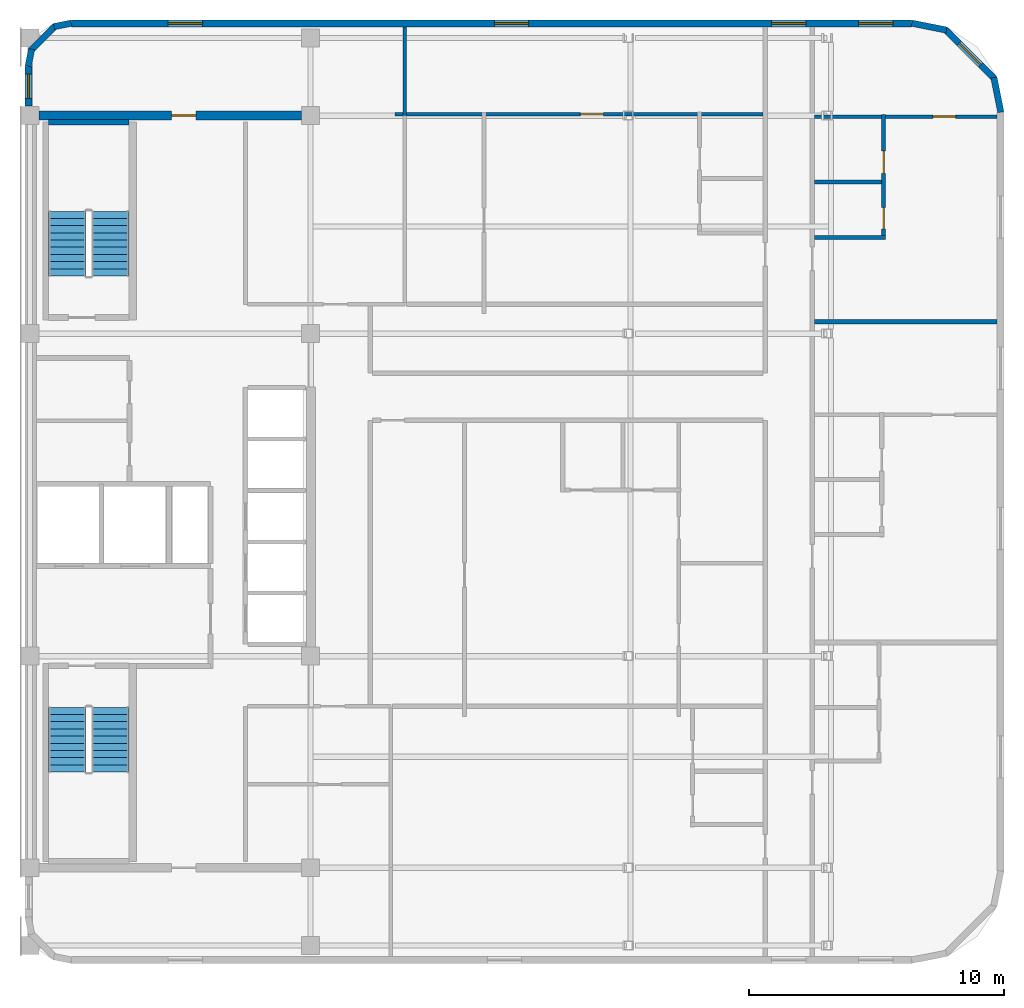
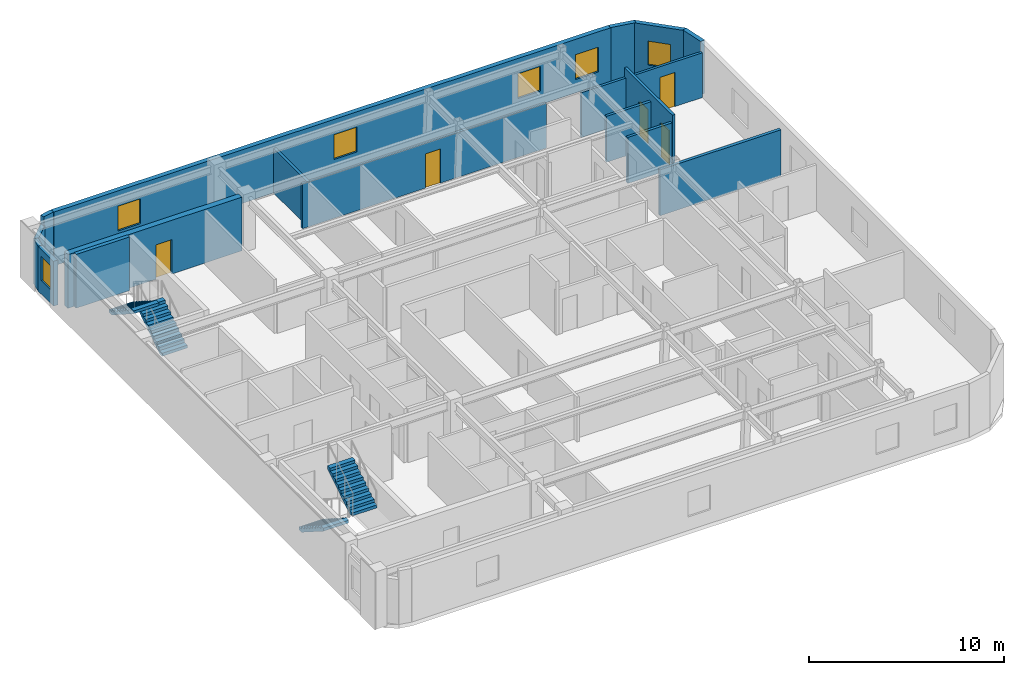
# One storey, part 5 of 6: 17 walls, 6 windows, 5 doors, 4 stair flights, 11 openings, 2 elements without a shape of their own.
"""IFC4 building model written with IfcOpenShell, lengths in metres."""

from ifc_helpers import new_model, si_unit, direction, frame, frame_2d, origin, place, context, subcontext, project, spatial, polyline, rectangle, outline, extrude, material, layer, layer_set, type_object, element, fill, aggregate, save


model = new_model("IFC4")

# Units and contexts
model_context = context("Model", 3, precision=1e-05, world=origin(), true_north=direction((0.0, 1.0)))
body_context = subcontext(model_context, "Body", "Model", "MODEL_VIEW")
ifc_project = project(units=[si_unit("LENGTHUNIT", "METRE"), si_unit("AREAUNIT", "SQUARE_METRE"), si_unit("VOLUMEUNIT", "CUBIC_METRE"), si_unit("PLANEANGLEUNIT", "RADIAN"), si_unit("MASSUNIT", "GRAM", prefix="KILO")], contexts=[model_context])

# Site, building, storey
site_placement = place(None, origin())
site = spatial("IfcSite", under=ifc_project, at=site_placement, CompositionType="ELEMENT")
building_placement = place(site_placement, origin())
building = spatial("IfcBuilding", under=site, at=building_placement, Name="Ochreholt Gables", CompositionType="ELEMENT")
storey_placement = place(building_placement, frame((0.0, 0.0, 220.199951171875)))
storey = spatial("IfcBuildingStorey", under=building, at=storey_placement, Name="L57", CompositionType="ELEMENT", Elevation=220.199951171875)

# Wall, opening, door
ifc_material_1 = material(Name="Concrete 50 MPa", Category="concrete")
ifc_layer_1 = layer(ifc_material_1, 0.35009765625, Name="Concrete 50 MPa")
ifc_layer_set_1 = layer_set([ifc_layer_1], Name="Concrete 50 MPa")
wall_type_1 = type_object("IfcWallType", Name="WALL-CSW-350", PredefinedType="SHEAR", material=ifc_layer_set_1)
wall_1_placement = place(storey_placement, frame((24.550048828125, 38.75, 0.0), z_axis=(0.0, 0.0, 1.0), x_axis=(1.0, 0.0, 0.0)))
wall_1 = element("IfcWall", 1, at=wall_1_placement, inside=storey, type_object=wall_type_1, Name="L57 Core North Shear Wall", PredefinedType="SHEAR", context=body_context, shape_type="SweptSolid", body=[
    extrude(rectangle(XDim=10.300048828125, YDim=0.35009765625, at=frame_2d((5.14990234375, 0.0))), origin(), (0.0, 0.0, 1.0), 3.360107421875),
])
opening_1_placement = place(wall_1_placement, frame((5.199951171875, 0.0, 0.0)))
opening_1 = element("IfcOpeningElement", 2, at=opening_1_placement, cuts=wall_1, Name="Opening D-FL2", PredefinedType="OPENING", context=body_context, shape_type="SweptSolid", body=[
    extrude(rectangle(XDim=0.949951171875, YDim=2.14990234375, at=frame_2d((0.47509765625, 1.074951171875))), frame((0.0, 0.18505859375, 0.0), z_axis=(0.0, -1.0, 0.0), x_axis=(1.0, 0.0, 0.0)), (0.0, 0.0, 1.0), 0.3701171875),
])
ifc_material_2 = material(Name="Hollow Metal Steel", Category="steel")
door_type_1 = type_object("IfcDoorType", Name="DR-INT-FLB950", OperationType="NOTDEFINED", PredefinedType="DOOR", material=ifc_material_2)
door_1_placement = place(opening_1_placement, origin())
door_1 = element("IfcDoor", 3, at=door_1_placement, inside=storey, type_object=door_type_1, Name="L57 Door D-C3NSR-L57", OperationType="SINGLE_SWING_RIGHT", OverallHeight=2.14990234375, OverallWidth=0.949951171875, PredefinedType="DOOR", context=body_context, shape_type="SweptSolid", body=[
    extrude(rectangle(XDim=0.949951171875, YDim=2.14990234375, at=frame_2d((0.47509765625, 1.074951171875))), frame((0.0, 0.02490234375, 0.0), z_axis=(0.0, -1.0, 0.0), x_axis=(1.0, 0.0, 0.0)), (0.0, 0.0, 1.0), 0.050048828125),
])
fill(opening_1, door_1)

# Wall, openings, windows
ifc_material_3 = material(Name="Precast concrete 40 MPa", Category="concrete")
ifc_layer_2 = layer(ifc_material_3, 0.27001953125, Name="Precast concrete 40 MPa")
ifc_layer_set_2 = layer_set([ifc_layer_2], Name="Precast concrete 40 MPa")
wall_type_2 = type_object("IfcWallType", Name="WALL-EXT-270", PredefinedType="SOLIDWALL", material=ifc_layer_set_2)
wall_2_placement = place(storey_placement, frame((58.780029296875, 42.364990234375, 0.0), z_axis=(0.0, 0.0, 1.0), x_axis=(-1.0, 0.0, 0.0)))
wall_2 = element("IfcWall", 4, at=wall_2_placement, inside=storey, type_object=wall_type_2, Name="L57 North Exterior Wall", PredefinedType="SOLIDWALL", context=body_context, shape_type="SweptSolid", body=[
    extrude(rectangle(XDim=32.9599609375, YDim=0.27001953125, at=frame_2d((16.47998046875, 0.0))), origin(), (0.0, 0.0, 1.0), 3.360107421875),
])
opening_2_placement = place(wall_2_placement, frame((27.81494140625, 0.0, 0.85009765625)))
opening_2 = element("IfcOpeningElement", 5, at=opening_2_placement, cuts=wall_2, Name="Opening WN-8", PredefinedType="OPENING", context=body_context, shape_type="SweptSolid", body=[
    extrude(rectangle(XDim=1.35009765625, YDim=1.550048828125, at=frame_2d((0.675048828125, 0.77490234375))), frame((0.0, 0.14501953125, 0.0), z_axis=(0.0, -1.0, 0.0), x_axis=(1.0, 0.0, 0.0)), (0.0, 0.0, 1.0), 0.2900390625),
])
opening_3_placement = place(wall_2_placement, frame((15.02197265625, 0.0, 0.85009765625)))
opening_3 = element("IfcOpeningElement", 6, at=opening_3_placement, cuts=wall_2, Name="Opening WN-8", PredefinedType="OPENING", context=body_context, shape_type="SweptSolid", body=[
    extrude(rectangle(XDim=1.35009765625, YDim=1.550048828125, at=frame_2d((0.675048828125, 0.77490234375))), frame((0.0, 0.14501953125, 0.0), z_axis=(0.0, -1.0, 0.0), x_axis=(1.0, 0.0, 0.0)), (0.0, 0.0, 1.0), 0.2900390625),
])
opening_4_placement = place(wall_2_placement, frame((4.147216796875, 0.0, 0.85009765625)))
opening_4 = element("IfcOpeningElement", 7, at=opening_4_placement, cuts=wall_2, Name="Opening WN-8", PredefinedType="OPENING", context=body_context, shape_type="SweptSolid", body=[
    extrude(rectangle(XDim=1.35009765625, YDim=1.550048828125, at=frame_2d((0.675048828125, 0.77490234375))), frame((0.0, 0.14501953125, 0.0), z_axis=(0.0, -1.0, 0.0), x_axis=(1.0, 0.0, 0.0)), (0.0, 0.0, 1.0), 0.2900390625),
])
opening_5_placement = place(wall_2_placement, frame((0.728515625, 0.0, 0.85009765625)))
opening_5 = element("IfcOpeningElement", 8, at=opening_5_placement, cuts=wall_2, Name="Opening WN-8", PredefinedType="OPENING", context=body_context, shape_type="SweptSolid", body=[
    extrude(rectangle(XDim=1.35009765625, YDim=1.550048828125, at=frame_2d((0.675048828125, 0.77490234375))), frame((0.0, 0.14501953125, 0.0), z_axis=(0.0, -1.0, 0.0), x_axis=(1.0, 0.0, 0.0)), (0.0, 0.0, 1.0), 0.2900390625),
])
ifc_material_4 = material(Name="Triple-Glazed Thermally Broken Aluminium Window", Category="aluminium")
window_type_1 = type_object("IfcWindowType", Name="WIN-RES-1350", PartitioningType="SINGLE_PANEL", PredefinedType="WINDOW", material=ifc_material_4)
window_1_placement = place(opening_2_placement, origin())
window_1 = element("IfcWindow", 9, at=window_1_placement, inside=storey, type_object=window_type_1, Name="L57 Window W-EXT-N-L57-1", OverallHeight=1.550048828125, OverallWidth=1.35009765625, PartitioningType="SINGLE_PANEL", PredefinedType="WINDOW", context=body_context, shape_type="SweptSolid", body=[
    extrude(rectangle(XDim=1.35009765625, YDim=1.550048828125, at=frame_2d((0.675048828125, 0.77490234375))), frame((0.0, 0.030029296875, 0.0), z_axis=(0.0, -1.0, 0.0), x_axis=(1.0, 0.0, 0.0)), (0.0, 0.0, 1.0), 0.06005859375),
])
fill(opening_2, window_1)
window_2_placement = place(opening_3_placement, origin())
window_2 = element("IfcWindow", 10, at=window_2_placement, inside=storey, type_object=window_type_1, Name="L57 Window W-EXT-N-L57-2", OverallHeight=1.550048828125, OverallWidth=1.35009765625, PartitioningType="SINGLE_PANEL", PredefinedType="WINDOW", context=body_context, shape_type="SweptSolid", body=[
    extrude(rectangle(XDim=1.35009765625, YDim=1.550048828125, at=frame_2d((0.675048828125, 0.77490234375))), frame((0.0, 0.030029296875, 0.0), z_axis=(0.0, -1.0, 0.0), x_axis=(1.0, 0.0, 0.0)), (0.0, 0.0, 1.0), 0.06005859375),
])
fill(opening_3, window_2)
window_3_placement = place(opening_4_placement, origin())
window_3 = element("IfcWindow", 11, at=window_3_placement, inside=storey, type_object=window_type_1, Name="L57 Window W-EXT-N-L57-3", OverallHeight=1.550048828125, OverallWidth=1.35009765625, PartitioningType="SINGLE_PANEL", PredefinedType="WINDOW", context=body_context, shape_type="SweptSolid", body=[
    extrude(rectangle(XDim=1.35009765625, YDim=1.550048828125, at=frame_2d((0.675048828125, 0.77490234375))), frame((0.0, 0.030029296875, 0.0), z_axis=(0.0, -1.0, 0.0), x_axis=(1.0, 0.0, 0.0)), (0.0, 0.0, 1.0), 0.06005859375),
])
fill(opening_4, window_3)
window_4_placement = place(opening_5_placement, origin())
window_4 = element("IfcWindow", 12, at=window_4_placement, inside=storey, type_object=window_type_1, Name="L57 Window W-EXT-N-L57-4", OverallHeight=1.550048828125, OverallWidth=1.35009765625, PartitioningType="SINGLE_PANEL", PredefinedType="WINDOW", context=body_context, shape_type="SweptSolid", body=[
    extrude(rectangle(XDim=1.35009765625, YDim=1.550048828125, at=frame_2d((0.675048828125, 0.77490234375))), frame((0.0, 0.030029296875, 0.0), z_axis=(0.0, -1.0, 0.0), x_axis=(1.0, 0.0, 0.0)), (0.0, 0.0, 1.0), 0.06005859375),
])
fill(opening_5, window_4)

# Wall, opening, window
wall_3_placement = place(storey_placement, frame((24.135009765625, 39.1201171875, 0.0), z_axis=(0.0, 0.0, 1.0), x_axis=(0.0, 1.0, 0.0)))
wall_3 = element("IfcWall", 13, at=wall_3_placement, inside=storey, type_object=wall_type_2, Name="L57 West Facade North Bay Wall", PredefinedType="SOLIDWALL", context=body_context, shape_type="SweptSolid", body=[
    extrude(rectangle(XDim=1.559814453125, YDim=0.27001953125, at=frame_2d((0.77978515625, 0.0))), origin(), (0.0, 0.0, 1.0), 2.802978515625),
])
opening_6_placement = place(wall_3_placement, frame((0.304931640625, 0.0, 0.85009765625)))
opening_6 = element("IfcOpeningElement", 14, at=opening_6_placement, cuts=wall_3, Name="Opening WN-10", PredefinedType="OPENING", context=body_context, shape_type="SweptSolid", body=[
    extrude(rectangle(XDim=0.949951171875, YDim=1.5, at=frame_2d((0.47509765625, 0.75))), frame((0.0, 0.14501953125, 0.0), z_axis=(0.0, -1.0, 0.0), x_axis=(1.0, 0.0, 0.0)), (0.0, 0.0, 1.0), 0.2900390625),
])
window_type_2 = type_object("IfcWindowType", Name="WIN-RES-950", PartitioningType="SINGLE_PANEL", PredefinedType="WINDOW", material=ifc_material_4)
window_5_placement = place(opening_6_placement, origin())
window_5 = element("IfcWindow", 15, at=window_5_placement, inside=storey, type_object=window_type_2, Name="L57 North Sky Reading West Window", OverallHeight=1.5, OverallWidth=0.949951171875, PartitioningType="SINGLE_PANEL", PredefinedType="WINDOW", context=body_context, shape_type="SweptSolid", body=[
    extrude(rectangle(XDim=0.949951171875, YDim=1.5, at=frame_2d((0.47509765625, 0.75))), frame((0.0, 0.030029296875, 0.0), z_axis=(0.0, -1.0, 0.0), x_axis=(1.0, 0.0, 0.0)), (0.0, 0.0, 1.0), 0.06005859375),
])
fill(opening_6, window_5)

# Wall
ifc_layer_3 = layer(ifc_material_3, 0.25, Name="Precast concrete 40 MPa")
ifc_layer_set_3 = layer_set([ifc_layer_3], Name="Precast concrete 40 MPa")
wall_type_3 = type_object("IfcWallType", Name="WALL-EXT-CNR", PredefinedType="SOLIDWALL", material=ifc_layer_set_3)
wall_4_placement = place(storey_placement, frame((62.27587890625, 38.883544921875, 0.0), z_axis=(0.0, 0.0, 1.0), x_axis=(-0.195135625965, 0.9807762678, 0.0)))
element("IfcWall", 16, at=wall_4_placement, inside=storey, type_object=wall_type_3, Name="L57 Rounded Corner Wall NE-1", PredefinedType="SOLIDWALL", context=body_context, shape_type="SweptSolid", body=[
    extrude(rectangle(XDim=1.388671875, YDim=0.25, at=frame_2d((0.6943359375, 0.0))), origin(), (0.0, 0.0, 1.0), 3.360107421875),
])

# Wall, opening, window
wall_5_placement = place(storey_placement, frame((62.031982421875, 40.195068359375, 0.0), z_axis=(0.0, 0.0, 1.0), x_axis=(-0.707106781187, 0.707106781187, 0.0)))
wall_5 = element("IfcWall", 17, at=wall_5_placement, inside=storey, type_object=wall_type_3, Name="L57 Rounded Corner Wall NE-2", PredefinedType="SOLIDWALL", context=body_context, shape_type="SweptSolid", body=[
    extrude(rectangle(XDim=2.7392578125, YDim=0.25, at=frame_2d((1.36962890625, 0.0))), origin(), (0.0, 0.0, 1.0), 3.360107421875),
])
opening_7_placement = place(wall_5_placement, frame((0.769775390625, 0.0, 0.85009765625)))
opening_7 = element("IfcOpeningElement", 18, at=opening_7_placement, cuts=wall_5, Name="Opening WN-3", PredefinedType="OPENING", context=body_context, shape_type="SweptSolid", body=[
    extrude(rectangle(XDim=1.199951171875, YDim=1.5, at=frame_2d((0.60009765625, 0.75))), frame((0.0, 0.135009765625, 0.0), z_axis=(0.0, -1.0, 0.0), x_axis=(1.0, 0.0, 0.0)), (0.0, 0.0, 1.0), 0.27001953125),
])
window_type_3 = type_object("IfcWindowType", Name="WIN-RES-1200", PartitioningType="SINGLE_PANEL", PredefinedType="WINDOW", material=ifc_material_4)
window_6_placement = place(opening_7_placement, origin())
window_6 = element("IfcWindow", 19, at=window_6_placement, inside=storey, type_object=window_type_3, Name="L57 Corner Bedroom Window NE", OverallHeight=1.5, OverallWidth=1.199951171875, PartitioningType="SINGLE_PANEL", PredefinedType="WINDOW", context=body_context, shape_type="SweptSolid", body=[
    extrude(rectangle(XDim=1.199951171875, YDim=1.5, at=frame_2d((0.60009765625, 0.75))), frame((0.0, 0.030029296875, 0.0), z_axis=(0.0, -1.0, 0.0), x_axis=(1.0, 0.0, 0.0)), (0.0, 0.0, 1.0), 0.06005859375),
])
fill(opening_7, window_6)

# Walls
wall_6_placement = place(storey_placement, frame((60.1455078125, 42.10498046875, 0.0), z_axis=(0.0, 0.0, 1.0), x_axis=(-0.980809899341, 0.19496651342, 0.0)))
element("IfcWall", 20, at=wall_6_placement, inside=storey, type_object=wall_type_3, Name="L57 Rounded Corner Wall NE-3", PredefinedType="SOLIDWALL", context=body_context, shape_type="SweptSolid", body=[
    extrude(rectangle(XDim=1.388671875, YDim=0.25, at=frame_2d((0.6943359375, 0.0))), origin(), (0.0, 0.0, 1.0), 3.360107421875),
])
wall_7_placement = place(storey_placement, frame((25.81640625, 42.375732421875, 0.0), z_axis=(0.0, 0.0, 1.0), x_axis=(-0.980812594069, -0.194952956674, 0.0)))
element("IfcWall", 21, at=wall_7_placement, inside=storey, type_object=wall_type_3, Name="L57 Rounded Corner Wall NW-1", PredefinedType="SOLIDWALL", context=body_context, shape_type="SweptSolid", body=[
    extrude(rectangle(XDim=0.686279296875, YDim=0.25, at=frame_2d((0.34326171875, 0.0))), origin(), (0.0, 0.0, 1.0), 3.360107421875),
])
wall_8_placement = place(storey_placement, frame((25.19384765625, 42.26904296875, 0.0), z_axis=(0.0, 0.0, 1.0), x_axis=(-0.707106781187, -0.707106781187, 0.0)))
element("IfcWall", 22, at=wall_8_placement, inside=storey, type_object=wall_type_3, Name="L57 Rounded Corner Wall NW-2", PredefinedType="SOLIDWALL", context=body_context, shape_type="SweptSolid", body=[
    extrude(rectangle(XDim=1.36181640625, YDim=0.25, at=frame_2d((0.680908203125, 0.0))), origin(), (0.0, 0.0, 1.0), 2.802978515625),
])
wall_9_placement = place(storey_placement, frame((24.258056640625, 41.356689453125, 0.0), z_axis=(0.0, 0.0, 1.0), x_axis=(-0.194952956674, -0.980812594069, 0.0)))
element("IfcWall", 23, at=wall_9_placement, inside=storey, type_object=wall_type_3, Name="L57 Rounded Corner Wall NW-3", PredefinedType="SOLIDWALL", context=body_context, shape_type="SweptSolid", body=[
    extrude(rectangle(XDim=0.686279296875, YDim=0.25, at=frame_2d((0.34326171875, 0.0))), origin(), (0.0, 0.0, 1.0), 2.802978515625),
])
ifc_material_5 = material(Name="Double-Stud Acoustic Demising Wall", Category="gypsum")
ifc_layer_4 = layer(ifc_material_5, 0.18505859375, Name="Double-Stud Acoustic Demising Wall")
ifc_layer_set_4 = layer_set([ifc_layer_4], Name="Double-Stud Acoustic Demising Wall")
wall_type_4 = type_object("IfcWallType", Name="WALL-INT-DM185", PredefinedType="PARTITIONING", material=ifc_layer_set_4)
wall_10_placement = place(storey_placement, frame((54.972900390625, 30.659912109375, 0.0), z_axis=(0.0, 0.0, 1.0), x_axis=(1.0, 0.0, 0.0)))
element("IfcWall", 24, at=wall_10_placement, inside=storey, type_object=wall_type_4, Name="L57 Interior Wall WI-C3UDE3-L57", PredefinedType="PARTITIONING", context=body_context, shape_type="SweptSolid", body=[
    extrude(rectangle(XDim=7.156982421875, YDim=0.18505859375, at=frame_2d((3.57861328125, 0.0))), origin(), (0.0, 0.0, 1.0), 2.879150390625),
])
ifc_material_6 = material(Name="Moisture-Resistant Plumbing Chase Wall", Category="gypsum")
ifc_layer_5 = layer(ifc_material_6, 0.159912109375, Name="Moisture-Resistant Plumbing Chase Wall")
ifc_layer_set_5 = layer_set([ifc_layer_5], Name="Moisture-Resistant Plumbing Chase Wall")
wall_type_5 = type_object("IfcWallType", Name="WALL-INT-PL160", PredefinedType="PLUMBINGWALL", material=ifc_layer_set_5)
wall_11_placement = place(storey_placement, frame((54.972900390625, 33.974609375, 0.0), z_axis=(0.0, 0.0, 1.0), x_axis=(1.0, 0.0, 0.0)))
element("IfcWall", 25, at=wall_11_placement, inside=storey, type_object=wall_type_5, Name="L57 Interior Wall WU-L57E3-FYS", PredefinedType="PLUMBINGWALL", context=body_context, shape_type="SweptSolid", body=[
    extrude(rectangle(XDim=2.787841796875, YDim=0.159912109375, at=frame_2d((1.39404296875, 0.0))), origin(), (0.0, 0.0, 1.0), 2.879150390625),
])

# Wall, openings, doors
wall_12_placement = place(storey_placement, frame((57.680908203125, 33.884521484375, 0.0), z_axis=(0.0, 0.0, 1.0), x_axis=(0.0, 1.0, 0.0)))
wall_12 = element("IfcWall", 26, at=wall_12_placement, inside=storey, type_object=wall_type_5, Name="L57 Interior Wall WU-L57E3-WX", PredefinedType="PLUMBINGWALL", context=body_context, shape_type="SweptSolid", body=[
    extrude(rectangle(XDim=4.91552734375, YDim=0.159912109375, at=frame_2d((2.457763671875, 0.0))), origin(), (0.0, 0.0, 1.0), 3.360107421875),
])
opening_8_placement = place(wall_12_placement, frame((0.419921875, 0.0, 0.0)))
opening_8 = element("IfcOpeningElement", 27, at=opening_8_placement, cuts=wall_12, Name="Opening D-BT2", PredefinedType="OPENING", context=body_context, shape_type="SweptSolid", body=[
    extrude(rectangle(XDim=0.840087890625, YDim=2.1201171875, at=frame_2d((0.419921875, 1.06005859375))), frame((0.0, 0.08984375, 0.0), z_axis=(0.0, -1.0, 0.0), x_axis=(1.0, 0.0, 0.0)), (0.0, 0.0, 1.0), 0.179931640625),
])
opening_9_placement = place(wall_12_placement, frame((2.598388671875, 0.0, 0.0)))
opening_9 = element("IfcOpeningElement", 28, at=opening_9_placement, cuts=wall_12, Name="Opening D-GN2", PredefinedType="OPENING", context=body_context, shape_type="SweptSolid", body=[
    extrude(rectangle(XDim=0.8798828125, YDim=2.1201171875, at=frame_2d((0.43994140625, 1.06005859375))), frame((0.0, 0.08984375, 0.0), z_axis=(0.0, -1.0, 0.0), x_axis=(1.0, 0.0, 0.0)), (0.0, 0.0, 1.0), 0.179931640625),
])
ifc_material_7 = material(Name="Engineered Oak Timber", Category="wood")
door_type_2 = type_object("IfcDoorType", Name="DR-INT-BTH840", OperationType="NOTDEFINED", PredefinedType="DOOR", material=ifc_material_7)
door_2_placement = place(opening_8_placement, origin())
door_2 = element("IfcDoor", 29, at=door_2_placement, inside=storey, type_object=door_type_2, Name="L57 Door D-U-L57E3-BTH", OperationType="SINGLE_SWING_LEFT", OverallHeight=2.1201171875, OverallWidth=0.840087890625, PredefinedType="DOOR", context=body_context, shape_type="SweptSolid", body=[
    extrude(rectangle(XDim=0.840087890625, YDim=2.1201171875, at=frame_2d((0.419921875, 1.06005859375))), frame((0.0, 0.02490234375, 0.0), z_axis=(0.0, -1.0, 0.0), x_axis=(1.0, 0.0, 0.0)), (0.0, 0.0, 1.0), 0.050048828125),
])
fill(opening_8, door_2)
door_type_3 = type_object("IfcDoorType", Name="DR-INT-GEN880", OperationType="NOTDEFINED", PredefinedType="DOOR", material=ifc_material_7)
door_3_placement = place(opening_9_placement, origin())
door_3 = element("IfcDoor", 30, at=door_3_placement, inside=storey, type_object=door_type_3, Name="L57 Door D-U-L57E3-KIT", OperationType="SINGLE_SWING_RIGHT", OverallHeight=2.1201171875, OverallWidth=0.8798828125, PredefinedType="DOOR", context=body_context, shape_type="SweptSolid", body=[
    extrude(rectangle(XDim=0.8798828125, YDim=2.1201171875, at=frame_2d((0.43994140625, 1.06005859375))), frame((0.0, 0.02490234375, 0.0), z_axis=(0.0, -1.0, 0.0), x_axis=(1.0, 0.0, 0.0)), (0.0, 0.0, 1.0), 0.050048828125),
])
fill(opening_9, door_3)

# Wall
wall_13_placement = place(storey_placement, frame((54.972900390625, 36.15283203125, 0.0), z_axis=(0.0, 0.0, 1.0), x_axis=(1.0, 0.0, 0.0)))
element("IfcWall", 31, at=wall_13_placement, inside=storey, type_object=wall_type_5, Name="L57 Interior Wall WU-L57E3-WK", PredefinedType="PLUMBINGWALL", context=body_context, shape_type="SweptSolid", body=[
    extrude(rectangle(XDim=2.6279296875, YDim=0.159912109375, at=frame_2d((1.31396484375, 0.0))), origin(), (0.0, 0.0, 1.0), 2.879150390625),
])

# Wall, opening, door
ifc_material_8 = material(Name="Lightweight Stud Partition", Category="gypsum")
ifc_layer_6 = layer(ifc_material_8, 0.14501953125, Name="Lightweight Stud Partition")
ifc_layer_set_6 = layer_set([ifc_layer_6], Name="Lightweight Stud Partition")
wall_type_6 = type_object("IfcWallType", Name="WALL-INT-PT145", PredefinedType="PARTITIONING", material=ifc_layer_set_6)
wall_14_placement = place(storey_placement, frame((54.972900390625, 38.7099609375, 0.0), z_axis=(0.0, 0.0, 1.0), x_axis=(1.0, 0.0, 0.0)))
wall_14 = element("IfcWall", 32, at=wall_14_placement, inside=storey, type_object=wall_type_6, Name="L57 Interior Wall WU-L57E3-MN", PredefinedType="PARTITIONING", context=body_context, shape_type="SweptSolid", body=[
    extrude(rectangle(XDim=7.156982421875, YDim=0.14501953125, at=frame_2d((3.57861328125, 0.0))), origin(), (0.0, 0.0, 1.0), 2.802978515625),
])
opening_10_placement = place(wall_14_placement, frame((4.632568359375, 0.0, 0.0)))
opening_10 = element("IfcOpeningElement", 33, at=opening_10_placement, cuts=wall_14, Name="Opening D-BD1", PredefinedType="OPENING", context=body_context, shape_type="SweptSolid", body=[
    extrude(rectangle(XDim=0.89990234375, YDim=2.139892578125, at=frame_2d((0.449951171875, 1.06982421875))), frame((0.0, 0.08251953125, 0.0), z_axis=(0.0, -1.0, 0.0), x_axis=(1.0, 0.0, 0.0)), (0.0, 0.0, 1.0), 0.1650390625),
])
door_type_4 = type_object("IfcDoorType", Name="DR-INT-BED900", OperationType="NOTDEFINED", PredefinedType="DOOR", material=ifc_material_7)
door_4_placement = place(opening_10_placement, origin())
door_4 = element("IfcDoor", 34, at=door_4_placement, inside=storey, type_object=door_type_4, Name="L57 Door D-U-L57E3-BD1", OperationType="SINGLE_SWING_LEFT", OverallHeight=2.139892578125, OverallWidth=0.89990234375, PredefinedType="DOOR", context=body_context, shape_type="SweptSolid", body=[
    extrude(rectangle(XDim=0.89990234375, YDim=2.139892578125, at=frame_2d((0.449951171875, 1.06982421875))), frame((0.0, 0.02490234375, 0.0), z_axis=(0.0, -1.0, 0.0), x_axis=(1.0, 0.0, 0.0)), (0.0, 0.0, 1.0), 0.050048828125),
])
fill(opening_10, door_4)

# Wall
wall_15_placement = place(storey_placement, frame((38.89990234375, 38.75, 0.0), z_axis=(0.0, 0.0, 1.0), x_axis=(0.0, 1.0, 0.0)))
element("IfcWall", 35, at=wall_15_placement, inside=storey, type_object=wall_type_6, Name="L57 Interior Wall WI-C3NMW-L57", PredefinedType="PARTITIONING", context=body_context, shape_type="SweptSolid", body=[
    extrude(rectangle(XDim=3.47998046875, YDim=0.14501953125, at=frame_2d((1.739990234375, 0.0))), origin(), (0.0, 0.0, 1.0), 2.802978515625),
])

# Wall, opening, door
wall_16_placement = place(storey_placement, frame((38.510009765625, 38.800048828125, 0.0), z_axis=(0.0, 0.0, 1.0), x_axis=(1.0, 0.0, 0.0)))
wall_16 = element("IfcWall", 36, at=wall_16_placement, inside=storey, type_object=wall_type_6, Name="L57 Interior Wall WU-L57NM2-MN", PredefinedType="PARTITIONING", context=body_context, shape_type="SweptSolid", body=[
    extrude(rectangle(XDim=14.432861328125, YDim=0.14501953125, at=frame_2d((7.21630859375, 0.0))), origin(), (0.0, 0.0, 1.0), 2.802978515625),
])
opening_11_placement = place(wall_16_placement, frame((7.27294921875, 0.0, 0.0)))
opening_11 = element("IfcOpeningElement", 37, at=opening_11_placement, cuts=wall_16, Name="Opening D-BD1", PredefinedType="OPENING", context=body_context, shape_type="SweptSolid", body=[
    extrude(rectangle(XDim=0.89990234375, YDim=2.139892578125, at=frame_2d((0.449951171875, 1.06982421875))), frame((0.0, 0.08251953125, 0.0), z_axis=(0.0, -1.0, 0.0), x_axis=(1.0, 0.0, 0.0)), (0.0, 0.0, 1.0), 0.1650390625),
])
door_5_placement = place(opening_11_placement, origin())
door_5 = element("IfcDoor", 38, at=door_5_placement, inside=storey, type_object=door_type_4, Name="L57 Door D-U-L57NM2-BD1", OperationType="SINGLE_SWING_LEFT", OverallHeight=2.139892578125, OverallWidth=0.89990234375, PredefinedType="DOOR", context=body_context, shape_type="SweptSolid", body=[
    extrude(rectangle(XDim=0.89990234375, YDim=2.139892578125, at=frame_2d((0.449951171875, 1.06982421875))), frame((0.0, 0.02490234375, 0.0), z_axis=(0.0, -1.0, 0.0), x_axis=(1.0, 0.0, 0.0)), (0.0, 0.0, 1.0), 0.050048828125),
])
fill(opening_11, door_5)

# Wall
ifc_layer_7 = layer(ifc_material_1, 0.219970703125, Name="Concrete 50 MPa")
ifc_layer_set_7 = layer_set([ifc_layer_7], Name="Concrete 50 MPa")
wall_type_7 = type_object("IfcWallType", Name="WALL-STW-220", PredefinedType="SHEAR", material=ifc_layer_set_7)
wall_17_placement = place(storey_placement, frame((24.919921875, 38.489990234375, 0.0), z_axis=(0.0, 0.0, 1.0), x_axis=(1.0, 0.0, 0.0)))
element("IfcWall", 39, at=wall_17_placement, inside=storey, type_object=wall_type_7, Name="L57 Exit Stair 2 North Wall", PredefinedType="SHEAR", context=body_context, shape_type="SweptSolid", body=[
    extrude(rectangle(XDim=3.16015625, YDim=0.219970703125, at=frame_2d((1.580078125, 0.0))), origin(), (0.0, 0.0, 1.0), 3.360107421875),
])

# Stair, stair flights
ifc_material_9 = material(Name="Concrete 40 MPa", Category="concrete")
stair_type_1 = type_object("IfcStairType", Name="STAIR-CORE-ST-1", PredefinedType="HALF_TURN_STAIR", material=ifc_material_9)
stair_1_placement = place(storey_placement, origin())
stair_1 = element("IfcStair", 40, at=stair_1_placement, inside=storey, type_object=stair_type_1, Name="L57 Core Exit Stair 1", PredefinedType="HALF_TURN_STAIR")
stair_flight_type = type_object("IfcStairFlightType", Name="FLIGHT-ST-1480-1800", PredefinedType="STRAIGHT", material=ifc_material_9)
stair_flight_1_placement = place(storey_placement, frame((25.659912109375, 15.5400390625, 0.0), z_axis=(0.0, 0.0, 1.0), x_axis=(0.0, -1.0, 0.0)))
stair_flight_1 = element("IfcStairFlight", 41, at=stair_flight_1_placement, type_object=stair_flight_type, Name="ST-1 flight 1", NumberOfRisers=10, NumberOfTreads=9, PredefinedType="STRAIGHT", RiserHeight=0.18, TreadLength=0.282, context=body_context, shape_type="SweptSolid", body=[
    extrude(outline(polyline([(0.0, 0.0), (0.0, 0.179931640625), (0.281982421875, 0.179931640625), (0.281982421875, 0.360107421875), (0.56396484375, 0.360107421875), (0.56396484375, 0.5400390625), (0.845947265625, 0.5400390625), (0.845947265625, 0.719970703125), (1.1279296875, 0.719970703125), (1.1279296875, 0.89990234375), (1.409912109375, 0.89990234375), (1.409912109375, 1.080078125), (1.69189453125, 1.080078125), (1.69189453125, 1.260009765625), (1.97412109375, 1.260009765625), (1.97412109375, 1.43994140625), (2.256103515625, 1.43994140625), (2.256103515625, 1.6201171875), (2.5380859375, 1.6201171875), (2.5380859375, 1.800048828125), (2.5380859375, 1.442138671875), (0.278564453125, 0.0), (0.0, 0.0)])), frame((0.0, 0.739990234375, 0.0), z_axis=(0.0, -1.0, 0.0), x_axis=(1.0, 0.0, 0.0)), (0.0, 0.0, 1.0), 1.47998046875),
])
stair_flight_2_placement = place(storey_placement, frame((27.340087890625, 13.001953125, 1.800048828125), z_axis=(0.0, 0.0, 1.0), x_axis=(0.0, 1.0, 0.0)))
stair_flight_2 = element("IfcStairFlight", 42, at=stair_flight_2_placement, type_object=stair_flight_type, Name="ST-1 flight 2", NumberOfRisers=10, NumberOfTreads=9, PredefinedType="STRAIGHT", RiserHeight=0.18, TreadLength=0.282, context=body_context, shape_type="SweptSolid", body=[
    extrude(outline(polyline([(0.0, 0.0), (0.0, 0.179931640625), (0.281982421875, 0.179931640625), (0.281982421875, 0.360107421875), (0.56396484375, 0.360107421875), (0.56396484375, 0.5400390625), (0.845947265625, 0.5400390625), (0.845947265625, 0.719970703125), (1.1279296875, 0.719970703125), (1.1279296875, 0.89990234375), (1.409912109375, 0.89990234375), (1.409912109375, 1.080078125), (1.69189453125, 1.080078125), (1.69189453125, 1.260009765625), (1.97412109375, 1.260009765625), (1.97412109375, 1.43994140625), (2.256103515625, 1.43994140625), (2.256103515625, 1.6201171875), (2.5380859375, 1.6201171875), (2.5380859375, 1.800048828125), (2.5380859375, 1.442138671875), (0.278564453125, 0.0), (0.0, 0.0)])), frame((0.0, 0.739990234375, 0.0), z_axis=(0.0, -1.0, 0.0), x_axis=(1.0, 0.0, 0.0)), (0.0, 0.0, 1.0), 1.47998046875),
])
aggregate(stair_1, [stair_flight_1, stair_flight_2])

stair_type_2 = type_object("IfcStairType", Name="STAIR-CORE-ST-2", PredefinedType="HALF_TURN_STAIR", material=ifc_material_9)
stair_2_placement = place(storey_placement, origin())
stair_2 = element("IfcStair", 43, at=stair_2_placement, inside=storey, type_object=stair_type_2, Name="L57 Core Exit Stair 2", PredefinedType="HALF_TURN_STAIR")
stair_flight_3_placement = place(storey_placement, frame((27.340087890625, 32.4599609375, 0.0), z_axis=(0.0, 0.0, 1.0), x_axis=(0.0, 1.0, 0.0)))
stair_flight_3 = element("IfcStairFlight", 44, at=stair_flight_3_placement, type_object=stair_flight_type, Name="ST-2 flight 1", NumberOfRisers=10, NumberOfTreads=9, PredefinedType="STRAIGHT", RiserHeight=0.18, TreadLength=0.282, context=body_context, shape_type="SweptSolid", body=[
    extrude(outline(polyline([(0.0, 0.0), (0.0, 0.179931640625), (0.281982421875, 0.179931640625), (0.281982421875, 0.360107421875), (0.56396484375, 0.360107421875), (0.56396484375, 0.5400390625), (0.845947265625, 0.5400390625), (0.845947265625, 0.719970703125), (1.1279296875, 0.719970703125), (1.1279296875, 0.89990234375), (1.409912109375, 0.89990234375), (1.409912109375, 1.080078125), (1.69189453125, 1.080078125), (1.69189453125, 1.260009765625), (1.97412109375, 1.260009765625), (1.97412109375, 1.43994140625), (2.256103515625, 1.43994140625), (2.256103515625, 1.6201171875), (2.5380859375, 1.6201171875), (2.5380859375, 1.800048828125), (2.5380859375, 1.442138671875), (0.278564453125, 0.0), (0.0, 0.0)])), frame((0.0, 0.739990234375, 0.0), z_axis=(0.0, -1.0, 0.0), x_axis=(1.0, 0.0, 0.0)), (0.0, 0.0, 1.0), 1.47998046875),
])
stair_flight_4_placement = place(storey_placement, frame((25.659912109375, 34.998046875, 1.800048828125), z_axis=(0.0, 0.0, 1.0), x_axis=(0.0, -1.0, 0.0)))
stair_flight_4 = element("IfcStairFlight", 45, at=stair_flight_4_placement, type_object=stair_flight_type, Name="ST-2 flight 2", NumberOfRisers=10, NumberOfTreads=9, PredefinedType="STRAIGHT", RiserHeight=0.18, TreadLength=0.282, context=body_context, shape_type="SweptSolid", body=[
    extrude(outline(polyline([(0.0, 0.0), (0.0, 0.179931640625), (0.281982421875, 0.179931640625), (0.281982421875, 0.360107421875), (0.56396484375, 0.360107421875), (0.56396484375, 0.5400390625), (0.845947265625, 0.5400390625), (0.845947265625, 0.719970703125), (1.1279296875, 0.719970703125), (1.1279296875, 0.89990234375), (1.409912109375, 0.89990234375), (1.409912109375, 1.080078125), (1.69189453125, 1.080078125), (1.69189453125, 1.260009765625), (1.97412109375, 1.260009765625), (1.97412109375, 1.43994140625), (2.256103515625, 1.43994140625), (2.256103515625, 1.6201171875), (2.5380859375, 1.6201171875), (2.5380859375, 1.800048828125), (2.5380859375, 1.442138671875), (0.278564453125, 0.0), (0.0, 0.0)])), frame((0.0, 0.739990234375, 0.0), z_axis=(0.0, -1.0, 0.0), x_axis=(1.0, 0.0, 0.0)), (0.0, 0.0, 1.0), 1.47998046875),
])
aggregate(stair_2, [stair_flight_3, stair_flight_4])

save(model, "model.ifc")
